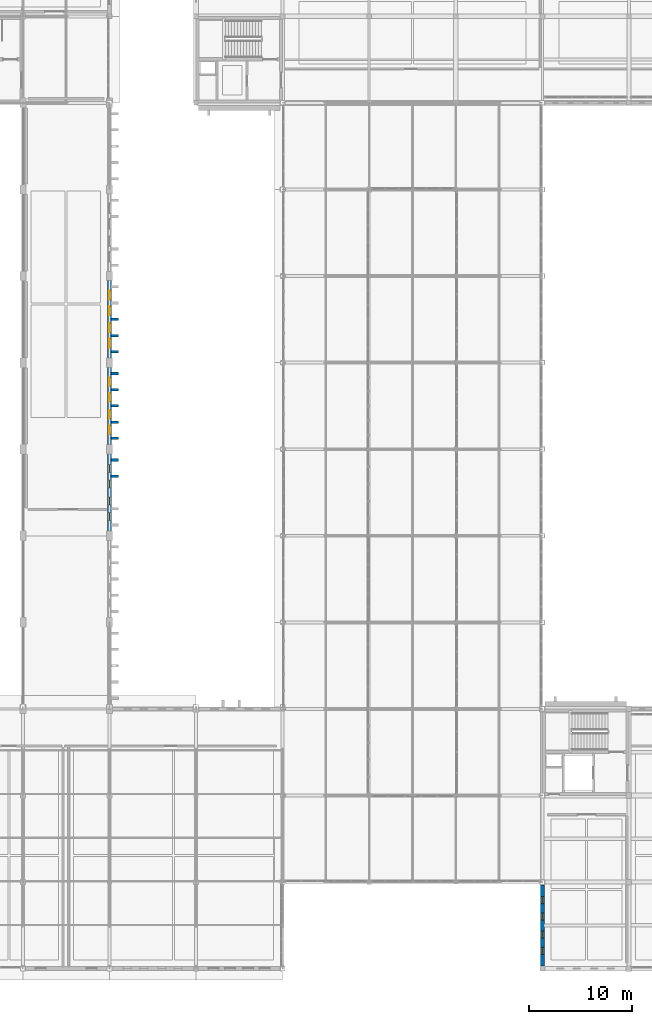
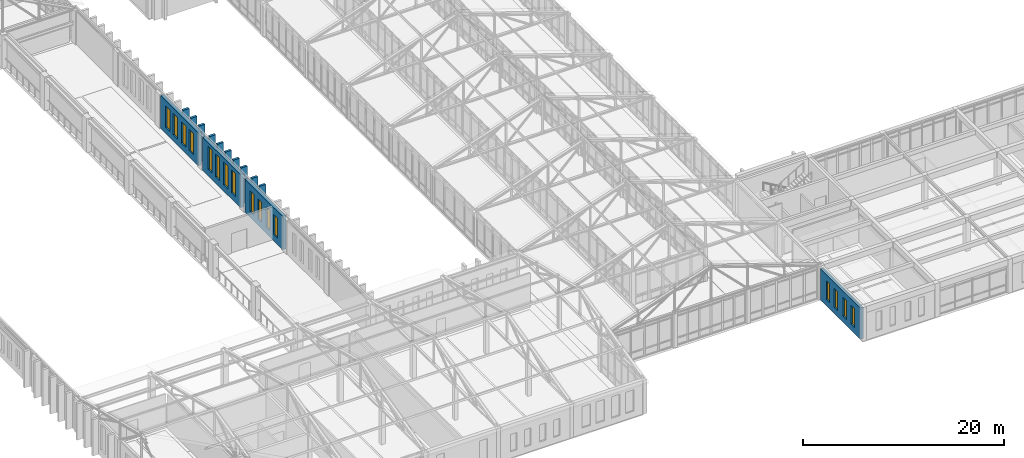
# One storey, part 159 of 192: 16 windows, 14 walls, 16 openings.
"""IFC4 building model written with IfcOpenShell, lengths in metres."""

from ifc_helpers import new_model, si_unit, direction, frame, frame_2d, origin, place, context, subcontext, project, spatial, rectangle, extrude, material, layer, layer_set, type_object, element, fill, save


model = new_model("IFC4")

# Units and contexts
model_context = context("Model", 3, precision=1e-05, world=origin(), true_north=direction((0.0, 1.0)))
body_context = subcontext(model_context, "Body", "Model", "MODEL_VIEW")
ifc_project = project(units=[si_unit("LENGTHUNIT", "METRE"), si_unit("AREAUNIT", "SQUARE_METRE"), si_unit("VOLUMEUNIT", "CUBIC_METRE"), si_unit("PLANEANGLEUNIT", "RADIAN"), si_unit("MASSUNIT", "GRAM", prefix="KILO")], contexts=[model_context])

# Site, building, storey
site_placement = place(None, origin())
site = spatial("IfcSite", under=ifc_project, at=site_placement, CompositionType="ELEMENT")
building_placement = place(site_placement, origin())
building = spatial("IfcBuilding", under=site, at=building_placement, Name="Kveldsbrygga Polytechnic", CompositionType="ELEMENT")
storey_placement = place(building_placement, frame((0.0, 0.0, 5.43994140625)))
storey = spatial("IfcBuildingStorey", under=building, at=storey_placement, Name="L01", CompositionType="ELEMENT", Elevation=5.43994140625)

# Wall, openings, windows
ifc_material_1 = material(Name="Fired clay brick masonry M10", Category="masonry")
ifc_layer_1 = layer(ifc_material_1, 0.3798828125)
ifc_layer_set_1 = layer_set([ifc_layer_1], Name="Fired clay brick masonry M10")
wall_type_1 = type_object("IfcWallType", Name="EW-BRICK-380", PredefinedType="SOLIDWALL", material=ifc_layer_set_1)
wall_1_placement = place(storey_placement, frame((33.60009765625, 42.43505859375, 0.0), z_axis=(0.0, 0.0, 1.0), x_axis=(0.0, 1.0, 0.0)))
wall_1 = element("IfcWall", 1, at=wall_1_placement, inside=storey, type_object=wall_type_1, Name="Exterior Brick Wall EW-L01-Y-04-05", PredefinedType="SOLIDWALL", context=body_context, shape_type="SweptSolid", body=[
    extrude(rectangle(XDim=7.530029296875, YDim=0.3798828125, at=frame_2d((3.76513671875, 0.0))), origin(), (0.0, 0.0, 1.0), 4.02001953125),
])
opening_1_placement = place(wall_1_placement, frame((1.05078125, 0.0, 0.75)))
opening_1 = element("IfcOpeningElement", 2, at=opening_1_placement, cuts=wall_1, Name="Opening W-06", PredefinedType="OPENING", context=body_context, shape_type="SweptSolid", body=[
    extrude(rectangle(XDim=0.760009765625, YDim=2.449951171875, at=frame_2d((0.3798828125, 1.22509765625))), frame((0.0, 0.199951171875, 0.0), z_axis=(0.0, -1.0, 0.0), x_axis=(1.0, 0.0, 0.0)), (0.0, 0.0, 1.0), 0.39990234375),
])
opening_2_placement = place(wall_1_placement, frame((2.556640625, 0.0, 0.75)))
opening_2 = element("IfcOpeningElement", 3, at=opening_2_placement, cuts=wall_1, Name="Opening W-06", PredefinedType="OPENING", context=body_context, shape_type="SweptSolid", body=[
    extrude(rectangle(XDim=0.760009765625, YDim=2.449951171875, at=frame_2d((0.3798828125, 1.22509765625))), frame((0.0, 0.199951171875, 0.0), z_axis=(0.0, -1.0, 0.0), x_axis=(1.0, 0.0, 0.0)), (0.0, 0.0, 1.0), 0.39990234375),
])
opening_3_placement = place(wall_1_placement, frame((4.21337890625, 0.0, 0.75)))
opening_3 = element("IfcOpeningElement", 4, at=opening_3_placement, cuts=wall_1, Name="Opening W-06", PredefinedType="OPENING", context=body_context, shape_type="SweptSolid", body=[
    extrude(rectangle(XDim=0.760009765625, YDim=2.449951171875, at=frame_2d((0.3798828125, 1.22509765625))), frame((0.0, 0.199951171875, 0.0), z_axis=(0.0, -1.0, 0.0), x_axis=(1.0, 0.0, 0.0)), (0.0, 0.0, 1.0), 0.39990234375),
])
opening_4_placement = place(wall_1_placement, frame((5.71923828125, 0.0, 0.75)))
opening_4 = element("IfcOpeningElement", 5, at=opening_4_placement, cuts=wall_1, Name="Opening W-06", PredefinedType="OPENING", context=body_context, shape_type="SweptSolid", body=[
    extrude(rectangle(XDim=0.760009765625, YDim=2.449951171875, at=frame_2d((0.3798828125, 1.22509765625))), frame((0.0, 0.199951171875, 0.0), z_axis=(0.0, -1.0, 0.0), x_axis=(1.0, 0.0, 0.0)), (0.0, 0.0, 1.0), 0.39990234375),
])
ifc_material_2 = material(Name="Insulated triple low-E glass", Category="glass")
window_type_1 = type_object("IfcWindowType", Name="WN-LANC-076x245", PartitioningType="DOUBLE_PANEL_VERTICAL", PredefinedType="WINDOW", material=ifc_material_2)
window_1_placement = place(opening_1_placement, origin())
window_1 = element("IfcWindow", 6, at=window_1_placement, inside=storey, type_object=window_type_1, Name="Gothic Lancet Window WIN-L01-Y-04-05-1", OverallHeight=2.449951171875, OverallWidth=0.760009765625, PartitioningType="DOUBLE_PANEL_VERTICAL", PredefinedType="WINDOW", context=body_context, shape_type="SweptSolid", body=[
    extrude(rectangle(XDim=0.760009765625, YDim=2.449951171875, at=frame_2d((0.3798828125, 1.22509765625))), frame((0.0, 0.030029296875, 0.0), z_axis=(0.0, -1.0, 0.0), x_axis=(1.0, 0.0, 0.0)), (0.0, 0.0, 1.0), 0.06005859375),
])
fill(opening_1, window_1)
window_2_placement = place(opening_2_placement, origin())
window_2 = element("IfcWindow", 7, at=window_2_placement, inside=storey, type_object=window_type_1, Name="Gothic Lancet Window WIN-L01-Y-04-05-2", OverallHeight=2.449951171875, OverallWidth=0.760009765625, PartitioningType="DOUBLE_PANEL_VERTICAL", PredefinedType="WINDOW", context=body_context, shape_type="SweptSolid", body=[
    extrude(rectangle(XDim=0.760009765625, YDim=2.449951171875, at=frame_2d((0.3798828125, 1.22509765625))), frame((0.0, 0.030029296875, 0.0), z_axis=(0.0, -1.0, 0.0), x_axis=(1.0, 0.0, 0.0)), (0.0, 0.0, 1.0), 0.06005859375),
])
fill(opening_2, window_2)
window_3_placement = place(opening_3_placement, origin())
window_3 = element("IfcWindow", 8, at=window_3_placement, inside=storey, type_object=window_type_1, Name="Gothic Lancet Window WIN-L01-Y-04-05-3", OverallHeight=2.449951171875, OverallWidth=0.760009765625, PartitioningType="DOUBLE_PANEL_VERTICAL", PredefinedType="WINDOW", context=body_context, shape_type="SweptSolid", body=[
    extrude(rectangle(XDim=0.760009765625, YDim=2.449951171875, at=frame_2d((0.3798828125, 1.22509765625))), frame((0.0, 0.030029296875, 0.0), z_axis=(0.0, -1.0, 0.0), x_axis=(1.0, 0.0, 0.0)), (0.0, 0.0, 1.0), 0.06005859375),
])
fill(opening_3, window_3)
window_4_placement = place(opening_4_placement, origin())
window_4 = element("IfcWindow", 9, at=window_4_placement, inside=storey, type_object=window_type_1, Name="Gothic Lancet Window WIN-L01-Y-04-05-4", OverallHeight=2.449951171875, OverallWidth=0.760009765625, PartitioningType="DOUBLE_PANEL_VERTICAL", PredefinedType="WINDOW", context=body_context, shape_type="SweptSolid", body=[
    extrude(rectangle(XDim=0.760009765625, YDim=2.449951171875, at=frame_2d((0.3798828125, 1.22509765625))), frame((0.0, 0.030029296875, 0.0), z_axis=(0.0, -1.0, 0.0), x_axis=(1.0, 0.0, 0.0)), (0.0, 0.0, 1.0), 0.06005859375),
])
fill(opening_4, window_4)

wall_2_placement = place(storey_placement, frame((33.60009765625, 59.235107421875, 0.0), z_axis=(0.0, 0.0, 1.0), x_axis=(0.0, 1.0, 0.0)))
wall_2 = element("IfcWall", 10, at=wall_2_placement, inside=storey, type_object=wall_type_1, Name="Exterior Brick Wall EW-L01-Y-04-07", PredefinedType="SOLIDWALL", context=body_context, shape_type="SweptSolid", body=[
    extrude(rectangle(XDim=7.52978515625, YDim=0.3798828125, at=frame_2d((3.764892578125, 0.0))), origin(), (0.0, 0.0, 1.0), 4.02001953125),
])
opening_5_placement = place(wall_2_placement, frame((1.000732421875, 0.0, 0.75)))
opening_5 = element("IfcOpeningElement", 11, at=opening_5_placement, cuts=wall_2, Name="Opening W-16", PredefinedType="OPENING", context=body_context, shape_type="SweptSolid", body=[
    extrude(rectangle(XDim=0.860107421875, YDim=2.60009765625, at=frame_2d((0.43017578125, 1.300048828125))), frame((0.0, 0.199951171875, 0.0), z_axis=(0.0, -1.0, 0.0), x_axis=(1.0, 0.0, 0.0)), (0.0, 0.0, 1.0), 0.39990234375),
])
opening_6_placement = place(wall_2_placement, frame((2.506591796875, 0.0, 0.75)))
opening_6 = element("IfcOpeningElement", 12, at=opening_6_placement, cuts=wall_2, Name="Opening W-16", PredefinedType="OPENING", context=body_context, shape_type="SweptSolid", body=[
    extrude(rectangle(XDim=0.860107421875, YDim=2.60009765625, at=frame_2d((0.43017578125, 1.300048828125))), frame((0.0, 0.199951171875, 0.0), z_axis=(0.0, -1.0, 0.0), x_axis=(1.0, 0.0, 0.0)), (0.0, 0.0, 1.0), 0.39990234375),
])
opening_7_placement = place(wall_2_placement, frame((4.163330078125, 0.0, 0.75)))
opening_7 = element("IfcOpeningElement", 13, at=opening_7_placement, cuts=wall_2, Name="Opening W-16", PredefinedType="OPENING", context=body_context, shape_type="SweptSolid", body=[
    extrude(rectangle(XDim=0.860107421875, YDim=2.60009765625, at=frame_2d((0.43017578125, 1.300048828125))), frame((0.0, 0.199951171875, 0.0), z_axis=(0.0, -1.0, 0.0), x_axis=(1.0, 0.0, 0.0)), (0.0, 0.0, 1.0), 0.39990234375),
])
opening_8_placement = place(wall_2_placement, frame((5.669189453125, 0.0, 0.75)))
opening_8 = element("IfcOpeningElement", 14, at=opening_8_placement, cuts=wall_2, Name="Opening W-16", PredefinedType="OPENING", context=body_context, shape_type="SweptSolid", body=[
    extrude(rectangle(XDim=0.860107421875, YDim=2.60009765625, at=frame_2d((0.43017578125, 1.300048828125))), frame((0.0, 0.199951171875, 0.0), z_axis=(0.0, -1.0, 0.0), x_axis=(1.0, 0.0, 0.0)), (0.0, 0.0, 1.0), 0.39990234375),
])
window_type_2 = type_object("IfcWindowType", Name="WN-LANC-086x260", PartitioningType="DOUBLE_PANEL_VERTICAL", PredefinedType="WINDOW", material=ifc_material_2)
window_5_placement = place(opening_5_placement, origin())
window_5 = element("IfcWindow", 15, at=window_5_placement, inside=storey, type_object=window_type_2, Name="Gothic Lancet Window WIN-L01-Y-04-07-1", OverallHeight=2.60009765625, OverallWidth=0.860107421875, PartitioningType="DOUBLE_PANEL_VERTICAL", PredefinedType="WINDOW", context=body_context, shape_type="SweptSolid", body=[
    extrude(rectangle(XDim=0.860107421875, YDim=2.60009765625, at=frame_2d((0.43017578125, 1.300048828125))), frame((0.0, 0.030029296875, 0.0), z_axis=(0.0, -1.0, 0.0), x_axis=(1.0, 0.0, 0.0)), (0.0, 0.0, 1.0), 0.06005859375),
])
fill(opening_5, window_5)
window_6_placement = place(opening_6_placement, origin())
window_6 = element("IfcWindow", 16, at=window_6_placement, inside=storey, type_object=window_type_2, Name="Gothic Lancet Window WIN-L01-Y-04-07-2", OverallHeight=2.60009765625, OverallWidth=0.860107421875, PartitioningType="DOUBLE_PANEL_VERTICAL", PredefinedType="WINDOW", context=body_context, shape_type="SweptSolid", body=[
    extrude(rectangle(XDim=0.860107421875, YDim=2.60009765625, at=frame_2d((0.43017578125, 1.300048828125))), frame((0.0, 0.030029296875, 0.0), z_axis=(0.0, -1.0, 0.0), x_axis=(1.0, 0.0, 0.0)), (0.0, 0.0, 1.0), 0.06005859375),
])
fill(opening_6, window_6)
window_7_placement = place(opening_7_placement, origin())
window_7 = element("IfcWindow", 17, at=window_7_placement, inside=storey, type_object=window_type_2, Name="Gothic Lancet Window WIN-L01-Y-04-07-3", OverallHeight=2.60009765625, OverallWidth=0.860107421875, PartitioningType="DOUBLE_PANEL_VERTICAL", PredefinedType="WINDOW", context=body_context, shape_type="SweptSolid", body=[
    extrude(rectangle(XDim=0.860107421875, YDim=2.60009765625, at=frame_2d((0.43017578125, 1.300048828125))), frame((0.0, 0.030029296875, 0.0), z_axis=(0.0, -1.0, 0.0), x_axis=(1.0, 0.0, 0.0)), (0.0, 0.0, 1.0), 0.06005859375),
])
fill(opening_7, window_7)
window_8_placement = place(opening_8_placement, origin())
window_8 = element("IfcWindow", 18, at=window_8_placement, inside=storey, type_object=window_type_2, Name="Gothic Lancet Window WIN-L01-Y-04-07-4", OverallHeight=2.60009765625, OverallWidth=0.860107421875, PartitioningType="DOUBLE_PANEL_VERTICAL", PredefinedType="WINDOW", context=body_context, shape_type="SweptSolid", body=[
    extrude(rectangle(XDim=0.860107421875, YDim=2.60009765625, at=frame_2d((0.43017578125, 1.300048828125))), frame((0.0, 0.030029296875, 0.0), z_axis=(0.0, -1.0, 0.0), x_axis=(1.0, 0.0, 0.0)), (0.0, 0.0, 1.0), 0.06005859375),
])
fill(opening_8, window_8)

wall_3_placement = place(storey_placement, frame((75.60009765625, 0.235107421875, 0.0), z_axis=(0.0, 0.0, 1.0), x_axis=(0.0, 1.0, 0.0)))
wall_3 = element("IfcWall", 19, at=wall_3_placement, inside=storey, type_object=wall_type_1, Name="Exterior Brick Wall EW-L01-Y-09-00", PredefinedType="SOLIDWALL", context=body_context, shape_type="SweptSolid", body=[
    extrude(rectangle(XDim=7.90478515625, YDim=0.3798828125, at=frame_2d((3.952392578125, 0.0))), origin(), (0.0, 0.0, 1.0), 3.81005859375),
])
opening_9_placement = place(wall_3_placement, frame((1.161865234375, 0.0, 0.75)))
opening_9 = element("IfcOpeningElement", 20, at=opening_9_placement, cuts=wall_3, Name="Opening W-42", PredefinedType="OPENING", context=body_context, shape_type="SweptSolid", body=[
    extrude(rectangle(XDim=0.679931640625, YDim=2.300048828125, at=frame_2d((0.33984375, 1.14990234375))), frame((0.0, 0.199951171875, 0.0), z_axis=(0.0, -1.0, 0.0), x_axis=(1.0, 0.0, 0.0)), (0.0, 0.0, 1.0), 0.39990234375),
])
opening_10_placement = place(wall_3_placement, frame((2.742919921875, 0.0, 0.75)))
opening_10 = element("IfcOpeningElement", 21, at=opening_10_placement, cuts=wall_3, Name="Opening W-42", PredefinedType="OPENING", context=body_context, shape_type="SweptSolid", body=[
    extrude(rectangle(XDim=0.679931640625, YDim=2.300048828125, at=frame_2d((0.33984375, 1.14990234375))), frame((0.0, 0.199951171875, 0.0), z_axis=(0.0, -1.0, 0.0), x_axis=(1.0, 0.0, 0.0)), (0.0, 0.0, 1.0), 0.39990234375),
])
opening_11_placement = place(wall_3_placement, frame((4.48193359375, 0.0, 0.75)))
opening_11 = element("IfcOpeningElement", 22, at=opening_11_placement, cuts=wall_3, Name="Opening W-42", PredefinedType="OPENING", context=body_context, shape_type="SweptSolid", body=[
    extrude(rectangle(XDim=0.679931640625, YDim=2.300048828125, at=frame_2d((0.33984375, 1.14990234375))), frame((0.0, 0.199951171875, 0.0), z_axis=(0.0, -1.0, 0.0), x_axis=(1.0, 0.0, 0.0)), (0.0, 0.0, 1.0), 0.39990234375),
])
opening_12_placement = place(wall_3_placement, frame((6.06298828125, 0.0, 0.75)))
opening_12 = element("IfcOpeningElement", 23, at=opening_12_placement, cuts=wall_3, Name="Opening W-42", PredefinedType="OPENING", context=body_context, shape_type="SweptSolid", body=[
    extrude(rectangle(XDim=0.679931640625, YDim=2.300048828125, at=frame_2d((0.33984375, 1.14990234375))), frame((0.0, 0.199951171875, 0.0), z_axis=(0.0, -1.0, 0.0), x_axis=(1.0, 0.0, 0.0)), (0.0, 0.0, 1.0), 0.39990234375),
])
window_type_3 = type_object("IfcWindowType", Name="WN-LANC-068x230", PartitioningType="DOUBLE_PANEL_VERTICAL", PredefinedType="WINDOW", material=ifc_material_2)
window_9_placement = place(opening_9_placement, origin())
window_9 = element("IfcWindow", 24, at=window_9_placement, inside=storey, type_object=window_type_3, Name="Gothic Lancet Window WIN-L01-Y-09-00-1", OverallHeight=2.300048828125, OverallWidth=0.679931640625, PartitioningType="DOUBLE_PANEL_VERTICAL", PredefinedType="WINDOW", context=body_context, shape_type="SweptSolid", body=[
    extrude(rectangle(XDim=0.679931640625, YDim=2.300048828125, at=frame_2d((0.33984375, 1.14990234375))), frame((0.0, 0.030029296875, 0.0), z_axis=(0.0, -1.0, 0.0), x_axis=(1.0, 0.0, 0.0)), (0.0, 0.0, 1.0), 0.06005859375),
])
fill(opening_9, window_9)
window_10_placement = place(opening_10_placement, origin())
window_10 = element("IfcWindow", 25, at=window_10_placement, inside=storey, type_object=window_type_3, Name="Gothic Lancet Window WIN-L01-Y-09-00-2", OverallHeight=2.300048828125, OverallWidth=0.679931640625, PartitioningType="DOUBLE_PANEL_VERTICAL", PredefinedType="WINDOW", context=body_context, shape_type="SweptSolid", body=[
    extrude(rectangle(XDim=0.679931640625, YDim=2.300048828125, at=frame_2d((0.33984375, 1.14990234375))), frame((0.0, 0.030029296875, 0.0), z_axis=(0.0, -1.0, 0.0), x_axis=(1.0, 0.0, 0.0)), (0.0, 0.0, 1.0), 0.06005859375),
])
fill(opening_10, window_10)
window_11_placement = place(opening_11_placement, origin())
window_11 = element("IfcWindow", 26, at=window_11_placement, inside=storey, type_object=window_type_3, Name="Gothic Lancet Window WIN-L01-Y-09-00-3", OverallHeight=2.300048828125, OverallWidth=0.679931640625, PartitioningType="DOUBLE_PANEL_VERTICAL", PredefinedType="WINDOW", context=body_context, shape_type="SweptSolid", body=[
    extrude(rectangle(XDim=0.679931640625, YDim=2.300048828125, at=frame_2d((0.33984375, 1.14990234375))), frame((0.0, 0.030029296875, 0.0), z_axis=(0.0, -1.0, 0.0), x_axis=(1.0, 0.0, 0.0)), (0.0, 0.0, 1.0), 0.06005859375),
])
fill(opening_11, window_11)
window_12_placement = place(opening_12_placement, origin())
window_12 = element("IfcWindow", 27, at=window_12_placement, inside=storey, type_object=window_type_3, Name="Gothic Lancet Window WIN-L01-Y-09-00-4", OverallHeight=2.300048828125, OverallWidth=0.679931640625, PartitioningType="DOUBLE_PANEL_VERTICAL", PredefinedType="WINDOW", context=body_context, shape_type="SweptSolid", body=[
    extrude(rectangle(XDim=0.679931640625, YDim=2.300048828125, at=frame_2d((0.33984375, 1.14990234375))), frame((0.0, 0.030029296875, 0.0), z_axis=(0.0, -1.0, 0.0), x_axis=(1.0, 0.0, 0.0)), (0.0, 0.0, 1.0), 0.06005859375),
])
fill(opening_12, window_12)

ifc_layer_2 = layer(ifc_material_1, 0.39990234375)
ifc_layer_set_2 = layer_set([ifc_layer_2], Name="Fired clay brick masonry M10")
wall_type_2 = type_object("IfcWallType", Name="EW-BRICK-400", PredefinedType="SOLIDWALL", material=ifc_layer_set_2)
wall_4_placement = place(storey_placement, frame((33.60009765625, 50.8349609375, 0.0), z_axis=(0.0, 0.0, 1.0), x_axis=(0.0, 1.0, 0.0)))
wall_4 = element("IfcWall", 28, at=wall_4_placement, inside=storey, type_object=wall_type_2, Name="Exterior Brick Wall EW-L01-Y-04-06", PredefinedType="SOLIDWALL", context=body_context, shape_type="SweptSolid", body=[
    extrude(rectangle(XDim=7.530029296875, YDim=0.39990234375, at=frame_2d((3.76513671875, 0.0))), origin(), (0.0, 0.0, 1.0), 4.02001953125),
])
opening_13_placement = place(wall_4_placement, frame((1.020751953125, 0.0, 0.75)))
opening_13 = element("IfcOpeningElement", 29, at=opening_13_placement, cuts=wall_4, Name="Opening W-11", PredefinedType="OPENING", context=body_context, shape_type="SweptSolid", body=[
    extrude(rectangle(XDim=0.820068359375, YDim=2.800048828125, at=frame_2d((0.41015625, 1.39990234375))), frame((0.0, 0.2099609375, 0.0), z_axis=(0.0, -1.0, 0.0), x_axis=(1.0, 0.0, 0.0)), (0.0, 0.0, 1.0), 0.419921875),
])
opening_14_placement = place(wall_4_placement, frame((2.526611328125, 0.0, 0.75)))
opening_14 = element("IfcOpeningElement", 30, at=opening_14_placement, cuts=wall_4, Name="Opening W-11", PredefinedType="OPENING", context=body_context, shape_type="SweptSolid", body=[
    extrude(rectangle(XDim=0.820068359375, YDim=2.800048828125, at=frame_2d((0.41015625, 1.39990234375))), frame((0.0, 0.2099609375, 0.0), z_axis=(0.0, -1.0, 0.0), x_axis=(1.0, 0.0, 0.0)), (0.0, 0.0, 1.0), 0.419921875),
])
opening_15_placement = place(wall_4_placement, frame((4.183349609375, 0.0, 0.75)))
opening_15 = element("IfcOpeningElement", 31, at=opening_15_placement, cuts=wall_4, Name="Opening W-11", PredefinedType="OPENING", context=body_context, shape_type="SweptSolid", body=[
    extrude(rectangle(XDim=0.820068359375, YDim=2.800048828125, at=frame_2d((0.41015625, 1.39990234375))), frame((0.0, 0.2099609375, 0.0), z_axis=(0.0, -1.0, 0.0), x_axis=(1.0, 0.0, 0.0)), (0.0, 0.0, 1.0), 0.419921875),
])
opening_16_placement = place(wall_4_placement, frame((5.689208984375, 0.0, 0.75)))
opening_16 = element("IfcOpeningElement", 32, at=opening_16_placement, cuts=wall_4, Name="Opening W-11", PredefinedType="OPENING", context=body_context, shape_type="SweptSolid", body=[
    extrude(rectangle(XDim=0.820068359375, YDim=2.800048828125, at=frame_2d((0.41015625, 1.39990234375))), frame((0.0, 0.2099609375, 0.0), z_axis=(0.0, -1.0, 0.0), x_axis=(1.0, 0.0, 0.0)), (0.0, 0.0, 1.0), 0.419921875),
])
window_type_4 = type_object("IfcWindowType", Name="WN-LANC-082x280", PartitioningType="DOUBLE_PANEL_VERTICAL", PredefinedType="WINDOW", material=ifc_material_2)
window_13_placement = place(opening_13_placement, origin())
window_13 = element("IfcWindow", 33, at=window_13_placement, inside=storey, type_object=window_type_4, Name="Gothic Lancet Window WIN-L01-Y-04-06-1", OverallHeight=2.800048828125, OverallWidth=0.820068359375, PartitioningType="DOUBLE_PANEL_VERTICAL", PredefinedType="WINDOW", context=body_context, shape_type="SweptSolid", body=[
    extrude(rectangle(XDim=0.820068359375, YDim=2.800048828125, at=frame_2d((0.41015625, 1.39990234375))), frame((0.0, 0.030029296875, 0.0), z_axis=(0.0, -1.0, 0.0), x_axis=(1.0, 0.0, 0.0)), (0.0, 0.0, 1.0), 0.06005859375),
])
fill(opening_13, window_13)
window_14_placement = place(opening_14_placement, origin())
window_14 = element("IfcWindow", 34, at=window_14_placement, inside=storey, type_object=window_type_4, Name="Gothic Lancet Window WIN-L01-Y-04-06-2", OverallHeight=2.800048828125, OverallWidth=0.820068359375, PartitioningType="DOUBLE_PANEL_VERTICAL", PredefinedType="WINDOW", context=body_context, shape_type="SweptSolid", body=[
    extrude(rectangle(XDim=0.820068359375, YDim=2.800048828125, at=frame_2d((0.41015625, 1.39990234375))), frame((0.0, 0.030029296875, 0.0), z_axis=(0.0, -1.0, 0.0), x_axis=(1.0, 0.0, 0.0)), (0.0, 0.0, 1.0), 0.06005859375),
])
fill(opening_14, window_14)
window_15_placement = place(opening_15_placement, origin())
window_15 = element("IfcWindow", 35, at=window_15_placement, inside=storey, type_object=window_type_4, Name="Gothic Lancet Window WIN-L01-Y-04-06-3", OverallHeight=2.800048828125, OverallWidth=0.820068359375, PartitioningType="DOUBLE_PANEL_VERTICAL", PredefinedType="WINDOW", context=body_context, shape_type="SweptSolid", body=[
    extrude(rectangle(XDim=0.820068359375, YDim=2.800048828125, at=frame_2d((0.41015625, 1.39990234375))), frame((0.0, 0.030029296875, 0.0), z_axis=(0.0, -1.0, 0.0), x_axis=(1.0, 0.0, 0.0)), (0.0, 0.0, 1.0), 0.06005859375),
])
fill(opening_15, window_15)
window_16_placement = place(opening_16_placement, origin())
window_16 = element("IfcWindow", 36, at=window_16_placement, inside=storey, type_object=window_type_4, Name="Gothic Lancet Window WIN-L01-Y-04-06-4", OverallHeight=2.800048828125, OverallWidth=0.820068359375, PartitioningType="DOUBLE_PANEL_VERTICAL", PredefinedType="WINDOW", context=body_context, shape_type="SweptSolid", body=[
    extrude(rectangle(XDim=0.820068359375, YDim=2.800048828125, at=frame_2d((0.41015625, 1.39990234375))), frame((0.0, 0.030029296875, 0.0), z_axis=(0.0, -1.0, 0.0), x_axis=(1.0, 0.0, 0.0)), (0.0, 0.0, 1.0), 0.06005859375),
])
fill(opening_16, window_16)

# Walls
ifc_layer_3 = layer(ifc_material_1, 0.260009765625)
ifc_layer_set_3 = layer_set([ifc_layer_3], Name="Fired clay brick masonry M10")
wall_type_3 = type_object("IfcWallType", Name="EW-BUTT-260", PredefinedType="SOLIDWALL", material=ifc_layer_set_3)
for number, where, z_axis, x_axis, name in (
    (37, (33.764892578125, 47.780029296875, 0.0), (0.0, 0.0, 1.0), (1.0, 0.0, 0.0), "Gothic Brick Buttress Pier BUTT-L01-Y-04-05-4"),
    (38, (33.764892578125, 49.35009765625, 0.0), (0.0, 0.0, 1.0), (1.0, 0.0, 0.0), "Gothic Brick Buttress Pier BUTT-L01-Y-04-05-5"),
    (39, (33.764892578125, 51.449951171875, 0.0), (0.0, 0.0, 1.0), (1.0, 0.0, 0.0), "Gothic Brick Buttress Pier BUTT-L01-Y-04-06-1"),
    (40, (33.764892578125, 53.02001953125, 0.0), (0.0, 0.0, 1.0), (1.0, 0.0, 0.0), "Gothic Brick Buttress Pier BUTT-L01-Y-04-06-2"),
    (41, (33.764892578125, 54.60009765625, 0.0), (0.0, 0.0, 1.0), (1.0, 0.0, 0.0), "Gothic Brick Buttress Pier BUTT-L01-Y-04-06-3"),
    (42, (33.764892578125, 56.179931640625, 0.0), (0.0, 0.0, 1.0), (1.0, 0.0, 0.0), "Gothic Brick Buttress Pier BUTT-L01-Y-04-06-4"),
    (43, (33.764892578125, 57.75, 0.0), (0.0, 0.0, 1.0), (1.0, 0.0, 0.0), "Gothic Brick Buttress Pier BUTT-L01-Y-04-06-5"),
    (44, (33.764892578125, 59.85009765625, 0.0), (0.0, 0.0, 1.0), (1.0, 0.0, 0.0), "Gothic Brick Buttress Pier BUTT-L01-Y-04-07-1"),
    (45, (33.764892578125, 61.419921875, 0.0), (0.0, 0.0, 1.0), (1.0, 0.0, 0.0), "Gothic Brick Buttress Pier BUTT-L01-Y-04-07-2"),
    (46, (33.764892578125, 63.0, 0.0), (0.0, 0.0, 1.0), (1.0, 0.0, 0.0), "Gothic Brick Buttress Pier BUTT-L01-Y-04-07-3"),
):
    element("IfcWall", number, at=place(storey_placement, frame(where, z_axis=z_axis, x_axis=x_axis)), inside=storey, type_object=wall_type_3, Name=name, PredefinedType="SOLIDWALL", context=body_context, shape_type="SweptSolid", body=[
        extrude(rectangle(XDim=0.7001953125, YDim=0.260009765625, at=frame_2d((0.35009765625, 0.0))), origin(), (0.0, 0.0, 1.0), 4.420166015625),
    ])

save(model, "model.ifc")
